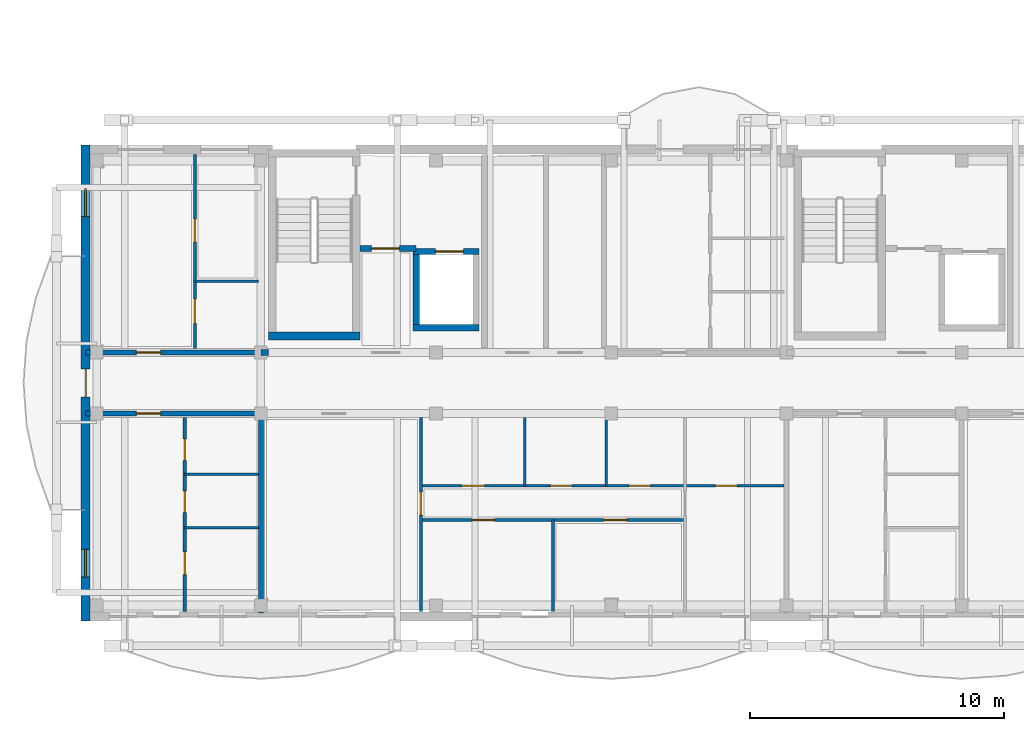
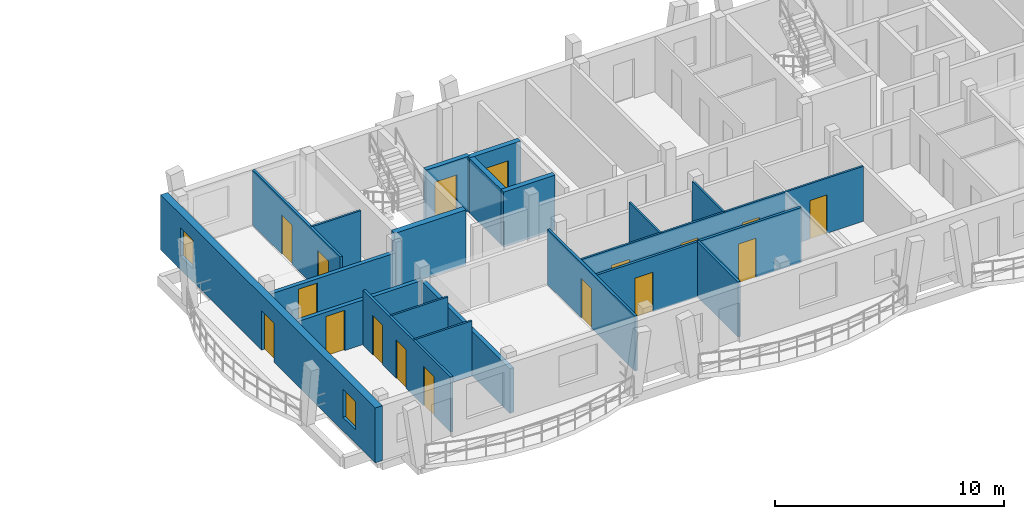
# One storey, part 17 of 52: 21 walls, 17 doors, 2 windows, 19 openings.
"""IFC4 building model written with IfcOpenShell, lengths in metres."""

from ifc_helpers import new_model, si_unit, direction, frame, frame_2d, origin, origin_with_axes, place, context, subcontext, project, spatial, rectangle, extrude, material, layer, layer_set, type_object, element, fill, save


model = new_model("IFC4")

# Units and contexts
model_context = context("Model", 3, precision=1e-05, world=origin(), true_north=direction((0.0, 1.0)))
body_context = subcontext(model_context, "Body", "Model", "MODEL_VIEW")
ifc_project = project(units=[si_unit("LENGTHUNIT", "METRE"), si_unit("AREAUNIT", "SQUARE_METRE"), si_unit("VOLUMEUNIT", "CUBIC_METRE"), si_unit("PLANEANGLEUNIT", "RADIAN"), si_unit("MASSUNIT", "GRAM", prefix="KILO")], contexts=[model_context])

# Site, building, storey
site_placement = place(None, origin())
site = spatial("IfcSite", under=ifc_project, at=site_placement, CompositionType="ELEMENT")
building_placement = place(site_placement, origin())
building = spatial("IfcBuilding", under=site, at=building_placement, Name="Zavelmont Quarter", CompositionType="ELEMENT")
storey_placement = place(building_placement, frame((0.0, 0.0, 14.39990234375)))
storey = spatial("IfcBuildingStorey", under=building, at=storey_placement, Name="L04", CompositionType="ELEMENT", Elevation=14.39990234375)

# Wall, openings, door, windows
ifc_material_1 = material(Name="Natural Belgian limestone", Category="masonry")
ifc_layer_1 = layer(ifc_material_1, 0.360107421875)
ifc_layer_set_1 = layer_set([ifc_layer_1], Name="Natural Belgian limestone")
wall_type_1 = type_object("IfcWallType", Name="EW02", PredefinedType="STANDARD", material=ifc_layer_set_1)
wall_1_placement = place(storey_placement, frame((0.0, -0.179931640625, 0.0), z_axis=(0.0, 0.0, 1.0), x_axis=(0.0, 1.0, 0.0)))
wall_1 = element("IfcWall", 1, at=wall_1_placement, inside=storey, type_object=wall_type_1, Name="L04 exterior limestone wall EW02", PredefinedType="STANDARD", context=body_context, shape_type="SweptSolid", body=[
    extrude(rectangle(XDim=18.760009765625, YDim=0.360107421875, at=frame_2d((9.3798828125, 0.0))), origin(), (0.0, 0.0, 1.0), 2.940185546875),
])
opening_1_placement = place(wall_1_placement, frame((8.830078125, 0.0, 0.0)))
opening_1 = element("IfcOpeningElement", 2, at=opening_1_placement, cuts=wall_1, Name="Opening DR04B", PredefinedType="OPENING", context=body_context, shape_type="SweptSolid", body=[
    extrude(rectangle(XDim=1.10009765625, YDim=2.10009765625, at=frame_2d((0.550048828125, 1.050048828125))), frame((0.0, 0.19189453125, 0.0), z_axis=(0.0, -1.0, 0.0), x_axis=(1.0, 0.0, 0.0)), (0.0, 0.0, 1.0), 0.384033203125),
])
opening_2_placement = place(wall_1_placement, frame((1.72998046875, 0.0, 0.719970703125)))
opening_2 = element("IfcOpeningElement", 3, at=opening_2_placement, cuts=wall_1, Name="Opening WN09", PredefinedType="OPENING", context=body_context, shape_type="SweptSolid", body=[
    extrude(rectangle(XDim=1.10009765625, YDim=1.5, at=frame_2d((0.550048828125, 0.75))), frame((0.0, 0.19189453125, 0.0), z_axis=(0.0, -1.0, 0.0), x_axis=(1.0, 0.0, 0.0)), (0.0, 0.0, 1.0), 0.384033203125),
])
opening_3_placement = place(wall_1_placement, frame((15.929931640625, 0.0, 0.719970703125)))
opening_3 = element("IfcOpeningElement", 4, at=opening_3_placement, cuts=wall_1, Name="Opening WN09", PredefinedType="OPENING", context=body_context, shape_type="SweptSolid", body=[
    extrude(rectangle(XDim=1.10009765625, YDim=1.5, at=frame_2d((0.550048828125, 0.75))), frame((0.0, 0.19189453125, 0.0), z_axis=(0.0, -1.0, 0.0), x_axis=(1.0, 0.0, 0.0)), (0.0, 0.0, 1.0), 0.384033203125),
])
ifc_material_2 = material(Name="Thermally broken aluminium and double safety glass", Category="aluminium")
door_type_1 = type_object("IfcDoorType", Name="DR04B", OperationType="NOTDEFINED", PredefinedType="DOOR", material=ifc_material_2)
door_1_placement = place(opening_1_placement, frame((1.10009765625, 0.0, 0.0), z_axis=(0.0, 0.0, 1.0), x_axis=(-1.0, 0.0, 0.0)))
door_1 = element("IfcDoor", 5, at=door_1_placement, inside=storey, type_object=door_type_1, Name="Block A L04 terrace or vase balcony door", OperationType="SINGLE_SWING_LEFT", OverallHeight=2.10009765625, OverallWidth=1.10009765625, PredefinedType="DOOR", context=body_context, shape_type="SweptSolid", body=[
    extrude(rectangle(XDim=1.10009765625, YDim=2.10009765625, at=frame_2d((0.550048828125, 1.050048828125))), frame((0.0, 0.02490234375, 0.0), z_axis=(0.0, -1.0, 0.0), x_axis=(1.0, 0.0, 0.0)), (0.0, 0.0, 1.0), 0.050048828125),
])
fill(opening_1, door_1)
ifc_material_3 = material(Name="Double low-E insulated glazing in thermally broken aluminium frame", Category="aluminium")
window_type = type_object("IfcWindowType", Name="WN09", PartitioningType="SINGLE_PANEL", PredefinedType="WINDOW", material=ifc_material_3)
window_1_placement = place(opening_2_placement, origin_with_axes())
window_1 = element("IfcWindow", 6, at=window_1_placement, inside=storey, type_object=window_type, Name="L04 window WN09", OverallHeight=1.5, OverallWidth=1.10009765625, PartitioningType="SINGLE_PANEL", PredefinedType="WINDOW", context=body_context, shape_type="SweptSolid", body=[
    extrude(rectangle(XDim=1.10009765625, YDim=1.5, at=frame_2d((0.550048828125, 0.75))), frame((0.0, 0.030029296875, 0.0), z_axis=(0.0, -1.0, 0.0), x_axis=(1.0, 0.0, 0.0)), (0.0, 0.0, 1.0), 0.06005859375),
])
fill(opening_2, window_1)
window_2_placement = place(opening_3_placement, origin_with_axes())
window_2 = element("IfcWindow", 7, at=window_2_placement, inside=storey, type_object=window_type, Name="L04 window WN09", OverallHeight=1.5, OverallWidth=1.10009765625, PartitioningType="SINGLE_PANEL", PredefinedType="WINDOW", context=body_context, shape_type="SweptSolid", body=[
    extrude(rectangle(XDim=1.10009765625, YDim=1.5, at=frame_2d((0.550048828125, 0.75))), frame((0.0, 0.030029296875, 0.0), z_axis=(0.0, -1.0, 0.0), x_axis=(1.0, 0.0, 0.0)), (0.0, 0.0, 1.0), 0.06005859375),
])
fill(opening_3, window_2)

# Wall
ifc_material_4 = material(Name="Calcium-silicate blockwork and acoustic plaster", Category="masonry")
ifc_layer_2 = layer(ifc_material_4, 0.199951171875)
ifc_layer_set_2 = layer_set([ifc_layer_2], Name="Calcium-silicate blockwork and acoustic plaster")
wall_type_2 = type_object("IfcWallType", Name="IW01", PredefinedType="PARTITIONING", material=ifc_layer_set_2)
wall_2_placement = place(storey_placement, frame((6.89990234375, 7.85009765625, 0.0), z_axis=(0.0, 0.0, 1.0), x_axis=(0.0, -1.0, 0.0)))
element("IfcWall", 8, at=wall_2_placement, inside=storey, type_object=wall_type_2, Name="L04 Inter-dwelling compartment wall IW01", PredefinedType="PARTITIONING", context=body_context, shape_type="SweptSolid", body=[
    extrude(rectangle(XDim=7.7001953125, YDim=0.199951171875, at=frame_2d((3.85009765625, 0.0))), origin(), (0.0, 0.0, 1.0), 2.380126953125),
])

# Wall, opening, door
wall_3_placement = place(storey_placement, frame((0.0, 8.0, 0.0), z_axis=(0.0, 0.0, 1.0), x_axis=(1.0, 0.0, 0.0)))
wall_3 = element("IfcWall", 9, at=wall_3_placement, inside=storey, type_object=wall_type_2, Name="L04 Corridor compartment wall IW01", PredefinedType="PARTITIONING", context=body_context, shape_type="SweptSolid", body=[
    extrude(rectangle(XDim=6.89990234375, YDim=0.199951171875, at=frame_2d((3.449951171875, 0.0))), origin(), (0.0, 0.0, 1.0), 2.380126953125),
])
opening_4_placement = place(wall_3_placement, frame((2.0, 0.0, 0.0)))
opening_4 = element("IfcOpeningElement", 10, at=opening_4_placement, cuts=wall_3, Name="Opening DR02", PredefinedType="OPENING", context=body_context, shape_type="SweptSolid", body=[
    extrude(rectangle(XDim=0.949951171875, YDim=2.14990234375, at=frame_2d((0.47509765625, 1.074951171875))), frame((0.0, 0.11181640625, 0.0), z_axis=(0.0, -1.0, 0.0), x_axis=(1.0, 0.0, 0.0)), (0.0, 0.0, 1.0), 0.223876953125),
])
ifc_material_5 = material(Name="Solid-core oak fire leaf in steel frame", Category="steel")
door_type_2 = type_object("IfcDoorType", Name="DR02", OperationType="NOTDEFINED", PredefinedType="DOOR", material=ifc_material_5)
door_2_placement = place(opening_4_placement, frame((0.949951171875, 0.0, 0.0), z_axis=(0.0, 0.0, 1.0), x_axis=(-1.0, 0.0, 0.0)))
door_2 = element("IfcDoor", 11, at=door_2_placement, inside=storey, type_object=door_type_2, Name="L04 door DR02", OperationType="SINGLE_SWING_LEFT", OverallHeight=2.14990234375, OverallWidth=0.949951171875, PredefinedType="DOOR", context=body_context, shape_type="SweptSolid", body=[
    extrude(rectangle(XDim=0.949951171875, YDim=2.14990234375, at=frame_2d((0.47509765625, 1.074951171875))), frame((0.0, 0.02490234375, 0.0), z_axis=(0.0, -1.0, 0.0), x_axis=(1.0, 0.0, 0.0)), (0.0, 0.0, 1.0), 0.050048828125),
])
fill(opening_4, door_2)

wall_4_placement = place(storey_placement, frame((0.0, 10.39990234375, 0.0), z_axis=(0.0, 0.0, 1.0), x_axis=(1.0, 0.0, 0.0)))
wall_4 = element("IfcWall", 12, at=wall_4_placement, inside=storey, type_object=wall_type_2, Name="L04 Corridor compartment wall IW01", PredefinedType="PARTITIONING", context=body_context, shape_type="SweptSolid", body=[
    extrude(rectangle(XDim=6.89990234375, YDim=0.199951171875, at=frame_2d((3.449951171875, 0.0))), origin(), (0.0, 0.0, 1.0), 2.380126953125),
])
opening_5_placement = place(wall_4_placement, frame((2.0, 0.0, 0.0)))
opening_5 = element("IfcOpeningElement", 13, at=opening_5_placement, cuts=wall_4, Name="Opening DR02", PredefinedType="OPENING", context=body_context, shape_type="SweptSolid", body=[
    extrude(rectangle(XDim=0.949951171875, YDim=2.14990234375, at=frame_2d((0.47509765625, 1.074951171875))), frame((0.0, 0.11181640625, 0.0), z_axis=(0.0, -1.0, 0.0), x_axis=(1.0, 0.0, 0.0)), (0.0, 0.0, 1.0), 0.223876953125),
])
door_3_placement = place(opening_5_placement, origin_with_axes())
door_3 = element("IfcDoor", 14, at=door_3_placement, inside=storey, type_object=door_type_2, Name="L04 door DR02", OperationType="SINGLE_SWING_RIGHT", OverallHeight=2.14990234375, OverallWidth=0.949951171875, PredefinedType="DOOR", context=body_context, shape_type="SweptSolid", body=[
    extrude(rectangle(XDim=0.949951171875, YDim=2.14990234375, at=frame_2d((0.47509765625, 1.074951171875))), frame((0.0, 0.02490234375, 0.0), z_axis=(0.0, -1.0, 0.0), x_axis=(1.0, 0.0, 0.0)), (0.0, 0.0, 1.0), 0.050048828125),
])
fill(opening_5, door_3)

ifc_material_6 = material(Name="Reinforced masonry fire compartment wall", Category="masonry")
ifc_layer_3 = layer(ifc_material_6, 0.22509765625)
ifc_layer_set_3 = layer_set([ifc_layer_3], Name="Reinforced masonry fire compartment wall")
wall_type_3 = type_object("IfcWallType", Name="IW02", PredefinedType="PARTITIONING", material=ifc_layer_set_3)
wall_5_placement = place(storey_placement, frame((10.800048828125, 14.5, 0.0), z_axis=(0.0, 0.0, 1.0), x_axis=(1.0, 0.0, 0.0)))
wall_5 = element("IfcWall", 15, at=wall_5_placement, inside=storey, type_object=wall_type_3, Name="L04 Firefighting lobby threshold wall IW02", PredefinedType="PARTITIONING", context=body_context, shape_type="SweptSolid", body=[
    extrude(rectangle(XDim=2.199951171875, YDim=0.22509765625, at=frame_2d((1.10009765625, 0.0))), origin(), (0.0, 0.0, 1.0), 2.940185546875),
])
opening_6_placement = place(wall_5_placement, frame((0.449951171875, 0.0, 0.0)))
opening_6 = element("IfcOpeningElement", 16, at=opening_6_placement, cuts=wall_5, Name="Opening DR10", PredefinedType="OPENING", context=body_context, shape_type="SweptSolid", body=[
    extrude(rectangle(XDim=1.10009765625, YDim=2.14990234375, at=frame_2d((0.550048828125, 1.074951171875))), frame((0.0, 0.12451171875, 0.0), z_axis=(0.0, -1.0, 0.0), x_axis=(1.0, 0.0, 0.0)), (0.0, 0.0, 1.0), 0.2490234375),
])
ifc_material_7 = material(Name="Painted steel lobby fire door", Category="steel")
door_type_3 = type_object("IfcDoorType", Name="DR10", OperationType="NOTDEFINED", PredefinedType="DOOR", material=ifc_material_7)
door_4_placement = place(opening_6_placement, origin_with_axes())
door_4 = element("IfcDoor", 17, at=door_4_placement, inside=storey, type_object=door_type_3, Name="Firefighting lobby fire door", OperationType="SINGLE_SWING_RIGHT", OverallHeight=2.14990234375, OverallWidth=1.10009765625, PredefinedType="DOOR", context=body_context, shape_type="SweptSolid", body=[
    extrude(rectangle(XDim=1.10009765625, YDim=2.14990234375, at=frame_2d((0.550048828125, 1.074951171875))), frame((0.0, 0.02490234375, 0.0), z_axis=(0.0, -1.0, 0.0), x_axis=(1.0, 0.0, 0.0)), (0.0, 0.0, 1.0), 0.050048828125),
])
fill(opening_6, door_4)

# Wall
wall_6_placement = place(storey_placement, frame((6.89990234375, 10.39990234375, 0.0), z_axis=(0.0, 0.0, 1.0), x_axis=(1.0, 0.0, 0.0)))
element("IfcWall", 18, at=wall_6_placement, inside=storey, type_object=wall_type_3, Name="L04 Core corridor wall IW02", PredefinedType="PARTITIONING", context=body_context, shape_type="SweptSolid", body=[
    extrude(rectangle(XDim=0.300048828125, YDim=0.22509765625, at=frame_2d((0.14990234375, 0.0))), origin(), (0.0, 0.0, 1.0), 2.940185546875),
])

# Wall, openings, doors
ifc_material_8 = material(Name="Double gypsum board on acoustic steel stud", Category="steel")
ifc_layer_4 = layer(ifc_material_8, 0.125)
ifc_layer_set_4 = layer_set([ifc_layer_4], Name="Double gypsum board on acoustic steel stud")
wall_type_4 = type_object("IfcWallType", Name="IW03", PredefinedType="PARTITIONING", material=ifc_layer_set_4)
wall_7_placement = place(storey_placement, frame((3.89990234375, 7.85009765625, 0.0), z_axis=(0.0, 0.0, 1.0), x_axis=(0.0, -1.0, 0.0)))
wall_7 = element("IfcWall", 19, at=wall_7_placement, inside=storey, type_object=wall_type_4, Name="L04 Partition IW03", PredefinedType="PARTITIONING", context=body_context, shape_type="SweptSolid", body=[
    extrude(rectangle(XDim=7.650146484375, YDim=0.125, at=frame_2d((3.8251953125, 0.0))), origin(), (0.0, 0.0, 1.0), 2.940185546875),
])
opening_7_placement = place(wall_7_placement, frame((0.85009765625, 0.0, 0.0)))
opening_7 = element("IfcOpeningElement", 20, at=opening_7_placement, cuts=wall_7, Name="Opening DR16", PredefinedType="OPENING", context=body_context, shape_type="SweptSolid", body=[
    extrude(rectangle(XDim=0.85009765625, YDim=2.10009765625, at=frame_2d((0.425048828125, 1.050048828125))), frame((0.0, 0.074462890625, 0.0), z_axis=(0.0, -1.0, 0.0), x_axis=(1.0, 0.0, 0.0)), (0.0, 0.0, 1.0), 0.14892578125),
])
opening_8_placement = place(wall_7_placement, frame((2.89990234375, 0.0, 0.0)))
opening_8 = element("IfcOpeningElement", 21, at=opening_8_placement, cuts=wall_7, Name="Opening DR06", PredefinedType="OPENING", context=body_context, shape_type="SweptSolid", body=[
    extrude(rectangle(XDim=0.85009765625, YDim=2.050048828125, at=frame_2d((0.425048828125, 1.02490234375))), frame((0.0, 0.074462890625, 0.0), z_axis=(0.0, -1.0, 0.0), x_axis=(1.0, 0.0, 0.0)), (0.0, 0.0, 1.0), 0.14892578125),
])
opening_9_placement = place(wall_7_placement, frame((5.300048828125, 0.0, 0.0)))
opening_9 = element("IfcOpeningElement", 22, at=opening_9_placement, cuts=wall_7, Name="Opening DR05", PredefinedType="OPENING", context=body_context, shape_type="SweptSolid", body=[
    extrude(rectangle(XDim=0.89990234375, YDim=2.10009765625, at=frame_2d((0.449951171875, 1.050048828125))), frame((0.0, 0.074462890625, 0.0), z_axis=(0.0, -1.0, 0.0), x_axis=(1.0, 0.0, 0.0)), (0.0, 0.0, 1.0), 0.14892578125),
])
ifc_material_9 = material(Name="Engineered oak flush interior door")
door_type_4 = type_object("IfcDoorType", Name="DR05", OperationType="NOTDEFINED", PredefinedType="DOOR", material=ifc_material_9)
door_5_placement = place(opening_9_placement, origin_with_axes())
door_5 = element("IfcDoor", 23, at=door_5_placement, inside=storey, type_object=door_type_4, Name="L04 door DR05", OperationType="SINGLE_SWING_LEFT", OverallHeight=2.10009765625, OverallWidth=0.89990234375, PredefinedType="DOOR", context=body_context, shape_type="SweptSolid", body=[
    extrude(rectangle(XDim=0.89990234375, YDim=2.10009765625, at=frame_2d((0.449951171875, 1.050048828125))), frame((0.0, 0.02490234375, 0.0), z_axis=(0.0, -1.0, 0.0), x_axis=(1.0, 0.0, 0.0)), (0.0, 0.0, 1.0), 0.050048828125),
])
fill(opening_9, door_5)
ifc_material_10 = material(Name="Moisture-resistant painted wet-room door")
door_type_5 = type_object("IfcDoorType", Name="DR06", OperationType="NOTDEFINED", PredefinedType="DOOR", material=ifc_material_10)
door_6_placement = place(opening_8_placement, frame((0.85009765625, 0.0, 0.0), z_axis=(0.0, 0.0, 1.0), x_axis=(-1.0, 0.0, 0.0)))
door_6 = element("IfcDoor", 24, at=door_6_placement, inside=storey, type_object=door_type_5, Name="L04 door DR06", OperationType="SINGLE_SWING_RIGHT", OverallHeight=2.050048828125, OverallWidth=0.85009765625, PredefinedType="DOOR", context=body_context, shape_type="SweptSolid", body=[
    extrude(rectangle(XDim=0.85009765625, YDim=2.050048828125, at=frame_2d((0.425048828125, 1.02490234375))), frame((0.0, 0.02490234375, 0.0), z_axis=(0.0, -1.0, 0.0), x_axis=(1.0, 0.0, 0.0)), (0.0, 0.0, 1.0), 0.050048828125),
])
fill(opening_8, door_6)
door_type_6 = type_object("IfcDoorType", Name="DR16", OperationType="NOTDEFINED", PredefinedType="DOOR", material=ifc_material_9)
door_7_placement = place(opening_7_placement, origin_with_axes())
door_7 = element("IfcDoor", 25, at=door_7_placement, inside=storey, type_object=door_type_6, Name="L04 door DR16", OperationType="SINGLE_SWING_LEFT", OverallHeight=2.10009765625, OverallWidth=0.85009765625, PredefinedType="DOOR", context=body_context, shape_type="SweptSolid", body=[
    extrude(rectangle(XDim=0.85009765625, YDim=2.10009765625, at=frame_2d((0.425048828125, 1.050048828125))), frame((0.0, 0.02490234375, 0.0), z_axis=(0.0, -1.0, 0.0), x_axis=(1.0, 0.0, 0.0)), (0.0, 0.0, 1.0), 0.050048828125),
])
fill(opening_7, door_7)

# Wall, opening, door
wall_8_placement = place(storey_placement, frame((13.199951171875, 7.85009765625, 0.0), z_axis=(0.0, 0.0, 1.0), x_axis=(0.0, -1.0, 0.0)))
wall_8 = element("IfcWall", 26, at=wall_8_placement, inside=storey, type_object=wall_type_4, Name="L04 Partition IW03", PredefinedType="PARTITIONING", context=body_context, shape_type="SweptSolid", body=[
    extrude(rectangle(XDim=7.650146484375, YDim=0.125, at=frame_2d((3.8251953125, 0.0))), origin(), (0.0, 0.0, 1.0), 2.940185546875),
])
opening_10_placement = place(wall_8_placement, frame((2.949951171875, 0.0, 0.0)))
opening_10 = element("IfcOpeningElement", 27, at=opening_10_placement, cuts=wall_8, Name="Opening DR05", PredefinedType="OPENING", context=body_context, shape_type="SweptSolid", body=[
    extrude(rectangle(XDim=0.89990234375, YDim=2.10009765625, at=frame_2d((0.449951171875, 1.050048828125))), frame((0.0, 0.074462890625, 0.0), z_axis=(0.0, -1.0, 0.0), x_axis=(1.0, 0.0, 0.0)), (0.0, 0.0, 1.0), 0.14892578125),
])
door_8_placement = place(opening_10_placement, origin_with_axes())
door_8 = element("IfcDoor", 28, at=door_8_placement, inside=storey, type_object=door_type_4, Name="L04 door DR05", OperationType="SINGLE_SWING_RIGHT", OverallHeight=2.10009765625, OverallWidth=0.89990234375, PredefinedType="DOOR", context=body_context, shape_type="SweptSolid", body=[
    extrude(rectangle(XDim=0.89990234375, YDim=2.10009765625, at=frame_2d((0.449951171875, 1.050048828125))), frame((0.0, 0.02490234375, 0.0), z_axis=(0.0, -1.0, 0.0), x_axis=(1.0, 0.0, 0.0)), (0.0, 0.0, 1.0), 0.050048828125),
])
fill(opening_10, door_8)

# Wall
wall_9_placement = place(storey_placement, frame((18.39990234375, 3.800048828125, 0.0), z_axis=(0.0, 0.0, 1.0), x_axis=(0.0, -1.0, 0.0)))
element("IfcWall", 29, at=wall_9_placement, inside=storey, type_object=wall_type_4, Name="L04 Partition IW03", PredefinedType="PARTITIONING", context=body_context, shape_type="SweptSolid", body=[
    extrude(rectangle(XDim=3.60009765625, YDim=0.125, at=frame_2d((1.800048828125, 0.0))), origin(), (0.0, 0.0, 1.0), 2.940185546875),
])

# Wall, openings, doors
wall_10_placement = place(storey_placement, frame((13.199951171875, 3.800048828125, 0.0), z_axis=(0.0, 0.0, 1.0), x_axis=(1.0, 0.0, 0.0)))
wall_10 = element("IfcWall", 30, at=wall_10_placement, inside=storey, type_object=wall_type_4, Name="L04 Partition IW03", PredefinedType="PARTITIONING", context=body_context, shape_type="SweptSolid", body=[
    extrude(rectangle(XDim=10.400146484375, YDim=0.125, at=frame_2d((5.2001953125, 0.0))), origin(), (0.0, 0.0, 1.0), 2.940185546875),
])
opening_11_placement = place(wall_10_placement, frame((2.0, 0.0, 0.0)))
opening_11 = element("IfcOpeningElement", 31, at=opening_11_placement, cuts=wall_10, Name="Opening DR05", PredefinedType="OPENING", context=body_context, shape_type="SweptSolid", body=[
    extrude(rectangle(XDim=0.89990234375, YDim=2.10009765625, at=frame_2d((0.449951171875, 1.050048828125))), frame((0.0, 0.074462890625, 0.0), z_axis=(0.0, -1.0, 0.0), x_axis=(1.0, 0.0, 0.0)), (0.0, 0.0, 1.0), 0.14892578125),
])
opening_12_placement = place(wall_10_placement, frame((7.199951171875, 0.0, 0.0)))
opening_12 = element("IfcOpeningElement", 32, at=opening_12_placement, cuts=wall_10, Name="Opening DR05", PredefinedType="OPENING", context=body_context, shape_type="SweptSolid", body=[
    extrude(rectangle(XDim=0.89990234375, YDim=2.10009765625, at=frame_2d((0.449951171875, 1.050048828125))), frame((0.0, 0.074462890625, 0.0), z_axis=(0.0, -1.0, 0.0), x_axis=(1.0, 0.0, 0.0)), (0.0, 0.0, 1.0), 0.14892578125),
])
door_9_placement = place(opening_11_placement, origin_with_axes())
door_9 = element("IfcDoor", 33, at=door_9_placement, inside=storey, type_object=door_type_4, Name="L04 door DR05", OperationType="SINGLE_SWING_RIGHT", OverallHeight=2.10009765625, OverallWidth=0.89990234375, PredefinedType="DOOR", context=body_context, shape_type="SweptSolid", body=[
    extrude(rectangle(XDim=0.89990234375, YDim=2.10009765625, at=frame_2d((0.449951171875, 1.050048828125))), frame((0.0, 0.02490234375, 0.0), z_axis=(0.0, -1.0, 0.0), x_axis=(1.0, 0.0, 0.0)), (0.0, 0.0, 1.0), 0.050048828125),
])
fill(opening_11, door_9)
door_10_placement = place(opening_12_placement, frame((0.89990234375, 0.0, 0.0), z_axis=(0.0, 0.0, 1.0), x_axis=(-1.0, 0.0, 0.0)))
door_10 = element("IfcDoor", 34, at=door_10_placement, inside=storey, type_object=door_type_4, Name="L04 door DR05", OperationType="SINGLE_SWING_LEFT", OverallHeight=2.10009765625, OverallWidth=0.89990234375, PredefinedType="DOOR", context=body_context, shape_type="SweptSolid", body=[
    extrude(rectangle(XDim=0.89990234375, YDim=2.10009765625, at=frame_2d((0.449951171875, 1.050048828125))), frame((0.0, 0.02490234375, 0.0), z_axis=(0.0, -1.0, 0.0), x_axis=(1.0, 0.0, 0.0)), (0.0, 0.0, 1.0), 0.050048828125),
])
fill(opening_12, door_10)

wall_11_placement = place(storey_placement, frame((4.300048828125, 10.550048828125, 0.0), z_axis=(0.0, 0.0, 1.0), x_axis=(0.0, 1.0, 0.0)))
wall_11 = element("IfcWall", 35, at=wall_11_placement, inside=storey, type_object=wall_type_4, Name="L04 Partition IW03", PredefinedType="PARTITIONING", context=body_context, shape_type="SweptSolid", body=[
    extrude(rectangle(XDim=7.64990234375, YDim=0.125, at=frame_2d((3.824951171875, 0.0))), origin(), (0.0, 0.0, 1.0), 2.940185546875),
])
opening_13_placement = place(wall_11_placement, frame((1.0, 0.0, 0.0)))
opening_13 = element("IfcOpeningElement", 36, at=opening_13_placement, cuts=wall_11, Name="Opening DR17", PredefinedType="OPENING", context=body_context, shape_type="SweptSolid", body=[
    extrude(rectangle(XDim=0.949951171875, YDim=2.10009765625, at=frame_2d((0.47509765625, 1.050048828125))), frame((0.0, 0.074462890625, 0.0), z_axis=(0.0, -1.0, 0.0), x_axis=(1.0, 0.0, 0.0)), (0.0, 0.0, 1.0), 0.14892578125),
])
opening_14_placement = place(wall_11_placement, frame((4.199951171875, 0.0, 0.0)))
opening_14 = element("IfcOpeningElement", 37, at=opening_14_placement, cuts=wall_11, Name="Opening DR05", PredefinedType="OPENING", context=body_context, shape_type="SweptSolid", body=[
    extrude(rectangle(XDim=0.89990234375, YDim=2.10009765625, at=frame_2d((0.449951171875, 1.050048828125))), frame((0.0, 0.074462890625, 0.0), z_axis=(0.0, -1.0, 0.0), x_axis=(1.0, 0.0, 0.0)), (0.0, 0.0, 1.0), 0.14892578125),
])
door_11_placement = place(opening_14_placement, origin_with_axes())
door_11 = element("IfcDoor", 38, at=door_11_placement, inside=storey, type_object=door_type_4, Name="L04 door DR05", OperationType="SINGLE_SWING_LEFT", OverallHeight=2.10009765625, OverallWidth=0.89990234375, PredefinedType="DOOR", context=body_context, shape_type="SweptSolid", body=[
    extrude(rectangle(XDim=0.89990234375, YDim=2.10009765625, at=frame_2d((0.449951171875, 1.050048828125))), frame((0.0, 0.02490234375, 0.0), z_axis=(0.0, -1.0, 0.0), x_axis=(1.0, 0.0, 0.0)), (0.0, 0.0, 1.0), 0.050048828125),
])
fill(opening_14, door_11)
ifc_material_11 = material(Name="Accessible washroom flush door")
door_type_7 = type_object("IfcDoorType", Name="DR17", OperationType="NOTDEFINED", PredefinedType="DOOR", material=ifc_material_11)
door_12_placement = place(opening_13_placement, frame((0.949951171875, 0.0, 0.0), z_axis=(0.0, 0.0, 1.0), x_axis=(-1.0, 0.0, 0.0)))
door_12 = element("IfcDoor", 39, at=door_12_placement, inside=storey, type_object=door_type_7, Name="L04 door DR17", OperationType="SINGLE_SWING_RIGHT", OverallHeight=2.10009765625, OverallWidth=0.949951171875, PredefinedType="DOOR", context=body_context, shape_type="SweptSolid", body=[
    extrude(rectangle(XDim=0.949951171875, YDim=2.10009765625, at=frame_2d((0.47509765625, 1.050048828125))), frame((0.0, 0.02490234375, 0.0), z_axis=(0.0, -1.0, 0.0), x_axis=(1.0, 0.0, 0.0)), (0.0, 0.0, 1.0), 0.050048828125),
])
fill(opening_13, door_12)

# Walls
ifc_material_12 = material(Name="Moisture-resistant gypsum board on steel stud", Category="steel")
ifc_layer_5 = layer(ifc_material_12, 0.10009765625)
ifc_layer_set_5 = layer_set([ifc_layer_5], Name="Moisture-resistant gypsum board on steel stud")
wall_type_5 = type_object("IfcWallType", Name="IW04", PredefinedType="PARTITIONING", material=ifc_layer_set_5)
for number, where, z_axis, x_axis, name in (
    (40, (3.89990234375, 5.60009765625, 0.0), (0.0, 0.0, 1.0), (1.0, 0.0, 0.0), "L04 Partition IW04"),
    (41, (3.89990234375, 3.5, 0.0), (0.0, 0.0, 1.0), (1.0, 0.0, 0.0), "L04 Partition IW04"),
):
    element("IfcWall", number, at=place(storey_placement, frame(where, z_axis=z_axis, x_axis=x_axis)), inside=storey, type_object=wall_type_5, Name=name, PredefinedType="PARTITIONING", context=body_context, shape_type="SweptSolid", body=[
        extrude(rectangle(XDim=2.900146484375, YDim=0.10009765625, at=frame_2d((1.4501953125, 0.0))), origin(), (0.0, 0.0, 1.0), 2.940185546875),
    ])
for number, where, z_axis, x_axis, name in (
    (42, (17.300048828125, 7.85009765625, 0.0), (0.0, 0.0, 1.0), (0.0, -1.0, 0.0), "L04 Partition IW04"),
    (43, (20.5, 7.85009765625, 0.0), (0.0, 0.0, 1.0), (0.0, -1.0, 0.0), "L04 Partition IW04"),
):
    element("IfcWall", number, at=place(storey_placement, frame(where, z_axis=z_axis, x_axis=x_axis)), inside=storey, type_object=wall_type_5, Name=name, PredefinedType="PARTITIONING", context=body_context, shape_type="SweptSolid", body=[
        extrude(rectangle(XDim=2.7001953125, YDim=0.10009765625, at=frame_2d((1.35009765625, 0.0))), origin(), (0.0, 0.0, 1.0), 2.940185546875),
    ])

# Wall, openings, doors
wall_12_placement = place(storey_placement, frame((13.199951171875, 5.14990234375, 0.0), z_axis=(0.0, 0.0, 1.0), x_axis=(1.0, 0.0, 0.0)))
wall_12 = element("IfcWall", 44, at=wall_12_placement, inside=storey, type_object=wall_type_5, Name="L04 Partition IW04", PredefinedType="PARTITIONING", context=body_context, shape_type="SweptSolid", body=[
    extrude(rectangle(XDim=14.300048828125, YDim=0.10009765625, at=frame_2d((7.14990234375, 0.0))), origin(), (0.0, 0.0, 1.0), 2.940185546875),
])
opening_15_placement = place(wall_12_placement, frame((1.60009765625, 0.0, 0.0)))
opening_15 = element("IfcOpeningElement", 45, at=opening_15_placement, cuts=wall_12, Name="Opening DR05", PredefinedType="OPENING", context=body_context, shape_type="SweptSolid", body=[
    extrude(rectangle(XDim=0.89990234375, YDim=2.10009765625, at=frame_2d((0.449951171875, 1.050048828125))), frame((0.0, 0.06201171875, 0.0), z_axis=(0.0, -1.0, 0.0), x_axis=(1.0, 0.0, 0.0)), (0.0, 0.0, 1.0), 0.1240234375),
])
opening_16_placement = place(wall_12_placement, frame((5.10009765625, 0.0, 0.0)))
opening_16 = element("IfcOpeningElement", 46, at=opening_16_placement, cuts=wall_12, Name="Opening DR06", PredefinedType="OPENING", context=body_context, shape_type="SweptSolid", body=[
    extrude(rectangle(XDim=0.85009765625, YDim=2.050048828125, at=frame_2d((0.425048828125, 1.02490234375))), frame((0.0, 0.06201171875, 0.0), z_axis=(0.0, -1.0, 0.0), x_axis=(1.0, 0.0, 0.0)), (0.0, 0.0, 1.0), 0.1240234375),
])
opening_17_placement = place(wall_12_placement, frame((8.199951171875, 0.0, 0.0)))
opening_17 = element("IfcOpeningElement", 47, at=opening_17_placement, cuts=wall_12, Name="Opening DR06", PredefinedType="OPENING", context=body_context, shape_type="SweptSolid", body=[
    extrude(rectangle(XDim=0.85009765625, YDim=2.050048828125, at=frame_2d((0.425048828125, 1.02490234375))), frame((0.0, 0.06201171875, 0.0), z_axis=(0.0, -1.0, 0.0), x_axis=(1.0, 0.0, 0.0)), (0.0, 0.0, 1.0), 0.1240234375),
])
opening_18_placement = place(wall_12_placement, frame((11.60009765625, 0.0, 0.0)))
opening_18 = element("IfcOpeningElement", 48, at=opening_18_placement, cuts=wall_12, Name="Opening DR06", PredefinedType="OPENING", context=body_context, shape_type="SweptSolid", body=[
    extrude(rectangle(XDim=0.85009765625, YDim=2.050048828125, at=frame_2d((0.425048828125, 1.02490234375))), frame((0.0, 0.06201171875, 0.0), z_axis=(0.0, -1.0, 0.0), x_axis=(1.0, 0.0, 0.0)), (0.0, 0.0, 1.0), 0.1240234375),
])
door_13_placement = place(opening_15_placement, origin_with_axes())
door_13 = element("IfcDoor", 49, at=door_13_placement, inside=storey, type_object=door_type_4, Name="L04 door DR05", OperationType="SINGLE_SWING_RIGHT", OverallHeight=2.10009765625, OverallWidth=0.89990234375, PredefinedType="DOOR", context=body_context, shape_type="SweptSolid", body=[
    extrude(rectangle(XDim=0.89990234375, YDim=2.10009765625, at=frame_2d((0.449951171875, 1.050048828125))), frame((0.0, 0.02490234375, 0.0), z_axis=(0.0, -1.0, 0.0), x_axis=(1.0, 0.0, 0.0)), (0.0, 0.0, 1.0), 0.050048828125),
])
fill(opening_15, door_13)
door_14_placement = place(opening_16_placement, frame((0.85009765625, 0.0, 0.0), z_axis=(0.0, 0.0, 1.0), x_axis=(-1.0, 0.0, 0.0)))
door_14 = element("IfcDoor", 50, at=door_14_placement, inside=storey, type_object=door_type_5, Name="L04 door DR06", OperationType="SINGLE_SWING_LEFT", OverallHeight=2.050048828125, OverallWidth=0.85009765625, PredefinedType="DOOR", context=body_context, shape_type="SweptSolid", body=[
    extrude(rectangle(XDim=0.85009765625, YDim=2.050048828125, at=frame_2d((0.425048828125, 1.02490234375))), frame((0.0, 0.02490234375, 0.0), z_axis=(0.0, -1.0, 0.0), x_axis=(1.0, 0.0, 0.0)), (0.0, 0.0, 1.0), 0.050048828125),
])
fill(opening_16, door_14)
door_15_placement = place(opening_17_placement, origin_with_axes())
door_15 = element("IfcDoor", 51, at=door_15_placement, inside=storey, type_object=door_type_5, Name="L04 door DR06", OperationType="SINGLE_SWING_RIGHT", OverallHeight=2.050048828125, OverallWidth=0.85009765625, PredefinedType="DOOR", context=body_context, shape_type="SweptSolid", body=[
    extrude(rectangle(XDim=0.85009765625, YDim=2.050048828125, at=frame_2d((0.425048828125, 1.02490234375))), frame((0.0, 0.02490234375, 0.0), z_axis=(0.0, -1.0, 0.0), x_axis=(1.0, 0.0, 0.0)), (0.0, 0.0, 1.0), 0.050048828125),
])
fill(opening_17, door_15)
door_16_placement = place(opening_18_placement, frame((0.85009765625, 0.0, 0.0), z_axis=(0.0, 0.0, 1.0), x_axis=(-1.0, 0.0, 0.0)))
door_16 = element("IfcDoor", 52, at=door_16_placement, inside=storey, type_object=door_type_5, Name="L04 door DR06", OperationType="SINGLE_SWING_LEFT", OverallHeight=2.050048828125, OverallWidth=0.85009765625, PredefinedType="DOOR", context=body_context, shape_type="SweptSolid", body=[
    extrude(rectangle(XDim=0.85009765625, YDim=2.050048828125, at=frame_2d((0.425048828125, 1.02490234375))), frame((0.0, 0.02490234375, 0.0), z_axis=(0.0, -1.0, 0.0), x_axis=(1.0, 0.0, 0.0)), (0.0, 0.0, 1.0), 0.050048828125),
])
fill(opening_18, door_16)

# Walls
wall_13_placement = place(storey_placement, frame((4.300048828125, 13.199951171875, 0.0), z_axis=(0.0, 0.0, 1.0), x_axis=(1.0, 0.0, 0.0)))
element("IfcWall", 53, at=wall_13_placement, inside=storey, type_object=wall_type_5, Name="L04 Partition IW04", PredefinedType="PARTITIONING", context=body_context, shape_type="SweptSolid", body=[
    extrude(rectangle(XDim=2.5, YDim=0.10009765625, at=frame_2d((1.25, 0.0))), origin(), (0.0, 0.0, 1.0), 2.940185546875),
])
ifc_material_13 = material(Name="Concrete C40/50", Category="concrete")
ifc_layer_6 = layer(ifc_material_13, 0.300048828125)
ifc_layer_set_6 = layer_set([ifc_layer_6], Name="Concrete C40/50")
wall_type_6 = type_object("IfcWallType", Name="SW01", PredefinedType="SHEAR", material=ifc_layer_set_6)
wall_14_placement = place(storey_placement, frame((7.199951171875, 11.050048828125, 0.0), z_axis=(0.0, 0.0, 1.0), x_axis=(1.0, 0.0, 0.0)))
element("IfcWall", 54, at=wall_14_placement, inside=storey, type_object=wall_type_6, Name="L04 ST01 corridor shear wall SW01", PredefinedType="SHEAR", context=body_context, shape_type="SweptSolid", body=[
    extrude(rectangle(XDim=3.60009765625, YDim=0.300048828125, at=frame_2d((1.800048828125, 0.0))), origin(), (0.0, 0.0, 1.0), 2.940185546875),
])

# Wall, opening, door
ifc_layer_7 = layer(ifc_material_13, 0.25)
ifc_layer_set_7 = layer_set([ifc_layer_7], Name="Concrete C40/50")
wall_type_7 = type_object("IfcWallType", Name="SW02", PredefinedType="SHEAR", material=ifc_layer_set_7)
wall_15_placement = place(storey_placement, frame((12.89990234375, 14.375, 0.0), z_axis=(0.0, 0.0, 1.0), x_axis=(1.0, 0.0, 0.0)))
wall_15 = element("IfcWall", 55, at=wall_15_placement, inside=storey, type_object=wall_type_7, Name="L04 Lift FL01 landing shaft wall SW02", PredefinedType="SHEAR", context=body_context, shape_type="SweptSolid", body=[
    extrude(rectangle(XDim=2.60009765625, YDim=0.25, at=frame_2d((1.300048828125, 0.0))), origin(), (0.0, 0.0, 1.0), 2.940185546875),
])
opening_19_placement = place(wall_15_placement, frame((0.875, 0.0, 0.0)))
opening_19 = element("IfcOpeningElement", 56, at=opening_19_placement, cuts=wall_15, Name="Opening LD02", PredefinedType="OPENING", context=body_context, shape_type="SweptSolid", body=[
    extrude(rectangle(XDim=1.10009765625, YDim=2.10009765625, at=frame_2d((0.550048828125, 1.050048828125))), frame((0.0, 0.136962890625, 0.0), z_axis=(0.0, -1.0, 0.0), x_axis=(1.0, 0.0, 0.0)), (0.0, 0.0, 1.0), 0.27392578125),
])
ifc_material_14 = material(Name="Brushed stainless-steel firefighting lift landing door", Category="steel")
door_type_8 = type_object("IfcDoorType", Name="LD02", OperationType="SLIDING_TO_LEFT", PredefinedType="DOOR", material=ifc_material_14)
door_17_placement = place(opening_19_placement, origin_with_axes())
door_17 = element("IfcDoor", 57, at=door_17_placement, inside=storey, type_object=door_type_8, Name="Lift FL01 sliding landing door", OperationType="SLIDING_TO_LEFT", OverallHeight=2.10009765625, OverallWidth=1.10009765625, PredefinedType="DOOR", context=body_context, shape_type="SweptSolid", body=[
    extrude(rectangle(XDim=1.10009765625, YDim=2.10009765625, at=frame_2d((0.550048828125, 1.050048828125))), frame((0.0, 0.02490234375, 0.0), z_axis=(0.0, -1.0, 0.0), x_axis=(1.0, 0.0, 0.0)), (0.0, 0.0, 1.0), 0.050048828125),
])
fill(opening_19, door_17)

# Walls
wall_16_placement = place(storey_placement, frame((12.89990234375, 11.375, 0.0), z_axis=(0.0, 0.0, 1.0), x_axis=(1.0, 0.0, 0.0)))
element("IfcWall", 58, at=wall_16_placement, inside=storey, type_object=wall_type_7, Name="L04 Lift FL01 back shaft wall SW02", PredefinedType="SHEAR", context=body_context, shape_type="SweptSolid", body=[
    extrude(rectangle(XDim=2.60009765625, YDim=0.25, at=frame_2d((1.300048828125, 0.0))), origin(), (0.0, 0.0, 1.0), 2.940185546875),
])
wall_17_placement = place(storey_placement, frame((13.02490234375, 11.25, 0.0), z_axis=(0.0, 0.0, 1.0), x_axis=(0.0, 1.0, 0.0)))
element("IfcWall", 59, at=wall_17_placement, inside=storey, type_object=wall_type_7, Name="L04 Lift FL01 west shaft wall SW02", PredefinedType="SHEAR", context=body_context, shape_type="SweptSolid", body=[
    extrude(rectangle(XDim=3.25, YDim=0.25, at=frame_2d((1.625, 0.0))), origin(), (0.0, 0.0, 1.0), 2.940185546875),
])

save(model, "model.ifc")
